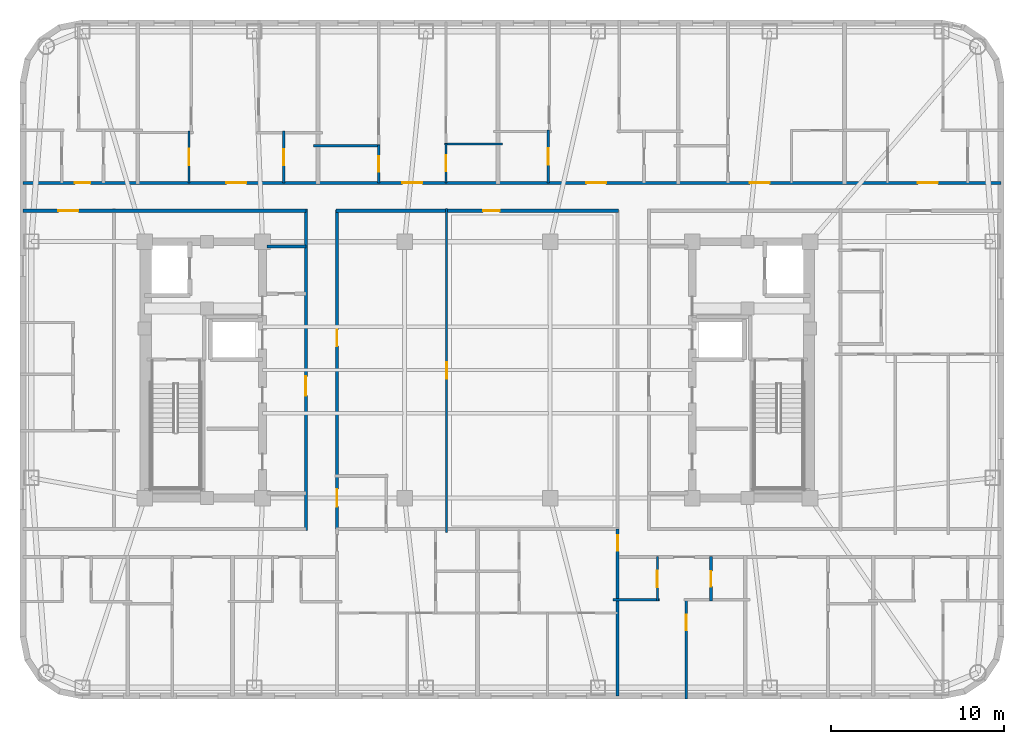
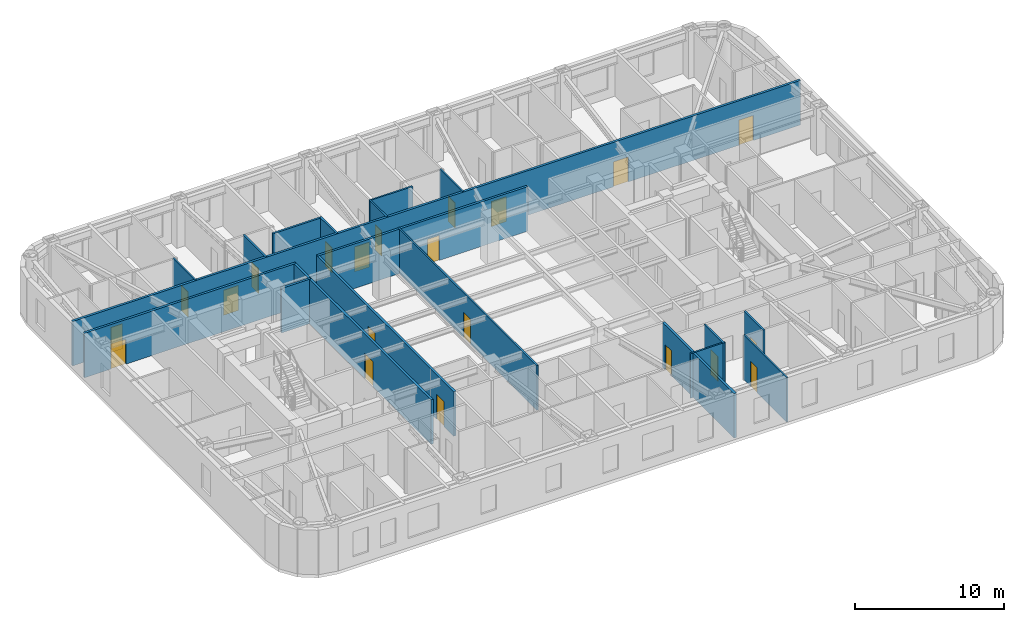
# One storey, part 5 of 11: 21 doors, 19 walls, 21 openings.
"""IFC4 building model written with IfcOpenShell, lengths in metres."""

from ifc_helpers import new_model, si_unit, direction, frame, frame_2d, origin, place, context, subcontext, project, spatial, rectangle, extrude, material, layer, layer_set, type_object, element, fill, save


model = new_model("IFC4")

# Units and contexts
model_context = context("Model", 3, precision=1e-05, world=origin(), true_north=direction((0.0, 1.0)))
body_context = subcontext(model_context, "Body", "Model", "MODEL_VIEW")
ifc_project = project(units=[si_unit("LENGTHUNIT", "METRE"), si_unit("AREAUNIT", "SQUARE_METRE"), si_unit("VOLUMEUNIT", "CUBIC_METRE"), si_unit("PLANEANGLEUNIT", "RADIAN"), si_unit("MASSUNIT", "GRAM", prefix="KILO")], contexts=[model_context])

# Site, building, storey
site_placement = place(None, origin())
site = spatial("IfcSite", under=ifc_project, at=site_placement, CompositionType="ELEMENT")
building_placement = place(site_placement, origin())
building = spatial("IfcBuilding", under=site, at=building_placement, Name="Voryun Gate Residences", CompositionType="ELEMENT")
storey_placement = place(building_placement, frame((0.0, 0.0, 219.699951171875)))
storey = spatial("IfcBuildingStorey", under=building, at=storey_placement, Name="L54", CompositionType="ELEMENT", Elevation=219.699951171875)

# Wall
ifc_material_1 = material(Name="Gypsum acoustic fireboard")
ifc_layer_1 = layer(ifc_material_1, 0.179931640625, Name="W_CORR_RATED_180")
ifc_layer_set_1 = layer_set([ifc_layer_1], Name="Gypsum acoustic fireboard")
wall_type_1 = type_object("IfcWallType", Name="W_CORR_RATED_180", PredefinedType="PARTITIONING", material=ifc_layer_set_1)
wall_1_placement = place(storey_placement, frame((-12.14990234375, 7.1201171875, 0.0), z_axis=(0.0, 0.0, 1.0), x_axis=(1.0, 0.0, 0.0)))
element("IfcWall", 1, at=wall_1_placement, inside=storey, type_object=wall_type_1, Name="Partition wall WP-L54-PLBN-W", PredefinedType="PARTITIONING", context=body_context, shape_type="SweptSolid", body=[
    extrude(rectangle(XDim=2.27001953125, YDim=0.179931640625, at=frame_2d((1.135009765625, 0.0))), origin(), (0.0, 0.0, 1.0), 3.650146484375),
])

# Wall, opening, door
wall_2_placement = place(storey_placement, frame((-9.89990234375, -9.280029296875, 0.0), z_axis=(0.0, 0.0, 1.0), x_axis=(0.0, 1.0, 0.0)))
wall_2 = element("IfcWall", 2, at=wall_2_placement, inside=storey, type_object=wall_type_1, Name="Partition wall WP-L54-PLBW-FULL", PredefinedType="PARTITIONING", context=body_context, shape_type="SweptSolid", body=[
    extrude(rectangle(XDim=18.56005859375, YDim=0.179931640625, at=frame_2d((9.280029296875, 0.0))), origin(), (0.0, 0.0, 1.0), 3.650146484375),
])
opening_1_placement = place(wall_2_placement, frame((7.802001953125, 0.0, 0.0)))
opening_1 = element("IfcOpeningElement", 3, at=opening_1_placement, cuts=wall_2, Name="Opening D-FD60-2", PredefinedType="OPENING", context=body_context, shape_type="SweptSolid", body=[
    extrude(rectangle(XDim=1.10009765625, YDim=2.050048828125, at=frame_2d((0.550048828125, 1.02490234375))), frame((0.0, 0.099853515625, 0.0), z_axis=(0.0, -1.0, 0.0), x_axis=(1.0, 0.0, 0.0)), (0.0, 0.0, 1.0), 0.199951171875),
])
ifc_material_2 = material(Name="Painted steel fire door", Category="steel")
door_type_1 = type_object("IfcDoorType", Name="DR_FD60_FFLOB_1100", OperationType="NOTDEFINED", PredefinedType="DOOR", material=ifc_material_2)
door_1_placement = place(opening_1_placement, origin())
door_1 = element("IfcDoor", 4, at=door_1_placement, inside=storey, type_object=door_type_1, Name="Door DR-L54-PLBW-COR", OperationType="SINGLE_SWING_LEFT", OverallHeight=2.050048828125, OverallWidth=1.10009765625, PredefinedType="DOOR", context=body_context, shape_type="SweptSolid", body=[
    extrude(rectangle(XDim=1.10009765625, YDim=2.050048828125, at=frame_2d((0.550048828125, 1.02490234375))), frame((0.0, 0.02490234375, 0.0), z_axis=(0.0, -1.0, 0.0), x_axis=(1.0, 0.0, 0.0)), (0.0, 0.0, 1.0), 0.050048828125),
])
fill(opening_1, door_1)

wall_3_placement = place(storey_placement, frame((-26.22998046875, 9.18994140625, 0.0), z_axis=(0.0, 0.0, 1.0), x_axis=(1.0, 0.0, 0.0)))
wall_3 = element("IfcWall", 5, at=wall_3_placement, inside=storey, type_object=wall_type_1, Name="Partition wall WP-L54-CWING-WN", PredefinedType="PARTITIONING", context=body_context, shape_type="SweptSolid", body=[
    extrude(rectangle(XDim=16.35009765625, YDim=0.179931640625, at=frame_2d((8.175048828125, 0.0))), origin(), (0.0, 0.0, 1.0), 3.650146484375),
])
opening_2_placement = place(wall_3_placement, frame((2.05078125, 0.0, 0.0)))
opening_2 = element("IfcOpeningElement", 6, at=opening_2_placement, cuts=wall_3, Name="Opening D-UNIT-1", PredefinedType="OPENING", context=body_context, shape_type="SweptSolid", body=[
    extrude(rectangle(XDim=1.14990234375, YDim=2.050048828125, at=frame_2d((0.574951171875, 1.02490234375))), frame((0.0, 0.099853515625, 0.0), z_axis=(0.0, -1.0, 0.0), x_axis=(1.0, 0.0, 0.0)), (0.0, 0.0, 1.0), 0.199951171875),
])
ifc_material_3 = material(Name="Armoured timber-clad fire door", Category="wood")
door_type_2 = type_object("IfcDoorType", Name="DR_UNIT_ENTRY_1150", OperationType="NOTDEFINED", PredefinedType="DOOR", material=ifc_material_3)
door_2_placement = place(opening_2_placement, origin())
door_2 = element("IfcDoor", 7, at=door_2_placement, inside=storey, type_object=door_type_2, Name="Door DR-L54-WE1N", OperationType="SINGLE_SWING_LEFT", OverallHeight=2.050048828125, OverallWidth=1.14990234375, PredefinedType="DOOR", context=body_context, shape_type="SweptSolid", body=[
    extrude(rectangle(XDim=1.14990234375, YDim=2.050048828125, at=frame_2d((0.574951171875, 1.02490234375))), frame((0.0, 0.02490234375, 0.0), z_axis=(0.0, -1.0, 0.0), x_axis=(1.0, 0.0, 0.0)), (0.0, 0.0, 1.0), 0.050048828125),
])
fill(opening_2, door_2)

wall_4_placement = place(storey_placement, frame((-8.14990234375, 9.18994140625, 0.0), z_axis=(0.0, 0.0, 1.0), x_axis=(1.0, 0.0, 0.0)))
wall_4 = element("IfcWall", 8, at=wall_4_placement, inside=storey, type_object=wall_type_1, Name="Partition wall WP-L54-Z3N", PredefinedType="PARTITIONING", context=body_context, shape_type="SweptSolid", body=[
    extrude(rectangle(XDim=16.2998046875, YDim=0.179931640625, at=frame_2d((8.14990234375, 0.0))), origin(), (0.0, 0.0, 1.0), 3.650146484375),
])
opening_3_placement = place(wall_4_placement, frame((8.489990234375, 0.0, 0.0)))
opening_3 = element("IfcOpeningElement", 9, at=opening_3_placement, cuts=wall_4, Name="Opening D-INT-1", PredefinedType="OPENING", context=body_context, shape_type="SweptSolid", body=[
    extrude(rectangle(XDim=0.949951171875, YDim=2.050048828125, at=frame_2d((0.47509765625, 1.02490234375))), frame((0.0, 0.099853515625, 0.0), z_axis=(0.0, -1.0, 0.0), x_axis=(1.0, 0.0, 0.0)), (0.0, 0.0, 1.0), 0.199951171875),
])
ifc_material_4 = material(Name="Architectural oak veneer")
door_type_3 = type_object("IfcDoorType", Name="DR_INT_ROOM_950", OperationType="NOTDEFINED", PredefinedType="DOOR", material=ifc_material_4)
door_3_placement = place(opening_3_placement, origin())
door_3 = element("IfcDoor", 10, at=door_3_placement, inside=storey, type_object=door_type_3, Name="Door DR-L54-CMIDZ3N", OperationType="SINGLE_SWING_LEFT", OverallHeight=2.050048828125, OverallWidth=0.949951171875, PredefinedType="DOOR", context=body_context, shape_type="SweptSolid", body=[
    extrude(rectangle(XDim=0.949951171875, YDim=2.050048828125, at=frame_2d((0.47509765625, 1.02490234375))), frame((0.0, 0.02490234375, 0.0), z_axis=(0.0, -1.0, 0.0), x_axis=(1.0, 0.0, 0.0)), (0.0, 0.0, 1.0), 0.050048828125),
])
fill(opening_3, door_3)

# Wall, openings, doors
wall_5_placement = place(storey_placement, frame((-8.10009765625, -9.22998046875, 0.0), z_axis=(0.0, 0.0, 1.0), x_axis=(0.0, 1.0, 0.0)))
wall_5 = element("IfcWall", 11, at=wall_5_placement, inside=storey, type_object=wall_type_1, Name="Partition wall WP-L54-Z3W", PredefinedType="PARTITIONING", context=body_context, shape_type="SweptSolid", body=[
    extrude(rectangle(XDim=18.4599609375, YDim=0.179931640625, at=frame_2d((9.22998046875, 0.0))), origin(), (0.0, 0.0, 1.0), 3.650146484375),
])
opening_4_placement = place(wall_5_placement, frame((1.345947265625, 0.0, 0.0)))
opening_4 = element("IfcOpeningElement", 12, at=opening_4_placement, cuts=wall_5, Name="Opening D-AWC-1", PredefinedType="OPENING", context=body_context, shape_type="SweptSolid", body=[
    extrude(rectangle(XDim=1.0, YDim=2.050048828125, at=frame_2d((0.5, 1.02490234375))), frame((0.0, 0.099853515625, 0.0), z_axis=(0.0, -1.0, 0.0), x_axis=(1.0, 0.0, 0.0)), (0.0, 0.0, 1.0), 0.199951171875),
])
opening_5_placement = place(wall_5_placement, frame((10.60107421875, 0.0, 0.0)))
opening_5 = element("IfcOpeningElement", 13, at=opening_5_placement, cuts=wall_5, Name="Opening D-INT-1", PredefinedType="OPENING", context=body_context, shape_type="SweptSolid", body=[
    extrude(rectangle(XDim=0.949951171875, YDim=2.050048828125, at=frame_2d((0.47509765625, 1.02490234375))), frame((0.0, 0.099853515625, 0.0), z_axis=(0.0, -1.0, 0.0), x_axis=(1.0, 0.0, 0.0)), (0.0, 0.0, 1.0), 0.199951171875),
])
ifc_material_5 = material(Name="Architectural oak veneer")
door_type_4 = type_object("IfcDoorType", Name="DR_ACC_WC_1000", OperationType="NOTDEFINED", PredefinedType="DOOR", material=ifc_material_5)
door_4_placement = place(opening_4_placement, origin())
door_4 = element("IfcDoor", 14, at=door_4_placement, inside=storey, type_object=door_type_4, Name="Door DR-L54-CMWC-D", OperationType="SINGLE_SWING_LEFT", OverallHeight=2.050048828125, OverallWidth=1.0, PredefinedType="DOOR", context=body_context, shape_type="SweptSolid", body=[
    extrude(rectangle(XDim=1.0, YDim=2.050048828125, at=frame_2d((0.5, 1.02490234375))), frame((0.0, 0.02490234375, 0.0), z_axis=(0.0, -1.0, 0.0), x_axis=(1.0, 0.0, 0.0)), (0.0, 0.0, 1.0), 0.050048828125),
])
fill(opening_4, door_4)
door_5_placement = place(opening_5_placement, origin())
door_5 = element("IfcDoor", 15, at=door_5_placement, inside=storey, type_object=door_type_3, Name="Door DR-L54-CMIDZ3W", OperationType="SINGLE_SWING_RIGHT", OverallHeight=2.050048828125, OverallWidth=0.949951171875, PredefinedType="DOOR", context=body_context, shape_type="SweptSolid", body=[
    extrude(rectangle(XDim=0.949951171875, YDim=2.050048828125, at=frame_2d((0.47509765625, 1.02490234375))), frame((0.0, 0.02490234375, 0.0), z_axis=(0.0, -1.0, 0.0), x_axis=(1.0, 0.0, 0.0)), (0.0, 0.0, 1.0), 0.050048828125),
])
fill(opening_5, door_5)

wall_6_placement = place(storey_placement, frame((-26.22998046875, 10.800048828125, 0.0), z_axis=(0.0, 0.0, 1.0), x_axis=(1.0, 0.0, 0.0)))
wall_6 = element("IfcWall", 16, at=wall_6_placement, inside=storey, type_object=wall_type_1, Name="Partition wall WP-L54-NCORR", PredefinedType="PARTITIONING", context=body_context, shape_type="SweptSolid", body=[
    extrude(rectangle(XDim=56.4599609375, YDim=0.179931640625, at=frame_2d((28.22998046875, 0.0))), origin(), (0.0, 0.0, 1.0), 3.650146484375),
])
opening_6_placement = place(wall_6_placement, frame((2.994140625, 0.0, 0.0)))
opening_6 = element("IfcOpeningElement", 17, at=opening_6_placement, cuts=wall_6, Name="Opening D-INT-2", PredefinedType="OPENING", context=body_context, shape_type="SweptSolid", body=[
    extrude(rectangle(XDim=0.89990234375, YDim=2.050048828125, at=frame_2d((0.449951171875, 1.02490234375))), frame((0.0, 0.099853515625, 0.0), z_axis=(0.0, -1.0, 0.0), x_axis=(1.0, 0.0, 0.0)), (0.0, 0.0, 1.0), 0.199951171875),
])
opening_7_placement = place(wall_6_placement, frame((11.74462890625, 0.0, 0.0)))
opening_7 = element("IfcOpeningElement", 18, at=opening_7_placement, cuts=wall_6, Name="Opening D-UNIT-1", PredefinedType="OPENING", context=body_context, shape_type="SweptSolid", body=[
    extrude(rectangle(XDim=1.14990234375, YDim=2.050048828125, at=frame_2d((0.574951171875, 1.02490234375))), frame((0.0, 0.099853515625, 0.0), z_axis=(0.0, -1.0, 0.0), x_axis=(1.0, 0.0, 0.0)), (0.0, 0.0, 1.0), 0.199951171875),
])
opening_8_placement = place(wall_6_placement, frame((21.907470703125, 0.0, 0.0)))
opening_8 = element("IfcOpeningElement", 19, at=opening_8_placement, cuts=wall_6, Name="Opening D-UNIT-1", PredefinedType="OPENING", context=body_context, shape_type="SweptSolid", body=[
    extrude(rectangle(XDim=1.14990234375, YDim=2.050048828125, at=frame_2d((0.574951171875, 1.02490234375))), frame((0.0, 0.099853515625, 0.0), z_axis=(0.0, -1.0, 0.0), x_axis=(1.0, 0.0, 0.0)), (0.0, 0.0, 1.0), 0.199951171875),
])
opening_9_placement = place(wall_6_placement, frame((32.51611328125, 0.0, 0.0)))
opening_9 = element("IfcOpeningElement", 20, at=opening_9_placement, cuts=wall_6, Name="Opening D-UNIT-1", PredefinedType="OPENING", context=body_context, shape_type="SweptSolid", body=[
    extrude(rectangle(XDim=1.14990234375, YDim=2.050048828125, at=frame_2d((0.574951171875, 1.02490234375))), frame((0.0, 0.099853515625, 0.0), z_axis=(0.0, -1.0, 0.0), x_axis=(1.0, 0.0, 0.0)), (0.0, 0.0, 1.0), 0.199951171875),
])
opening_10_placement = place(wall_6_placement, frame((41.956298828125, 0.0, 0.0)))
opening_10 = element("IfcOpeningElement", 21, at=opening_10_placement, cuts=wall_6, Name="Opening D-UNIT-1", PredefinedType="OPENING", context=body_context, shape_type="SweptSolid", body=[
    extrude(rectangle(XDim=1.14990234375, YDim=2.050048828125, at=frame_2d((0.574951171875, 1.02490234375))), frame((0.0, 0.099853515625, 0.0), z_axis=(0.0, -1.0, 0.0), x_axis=(1.0, 0.0, 0.0)), (0.0, 0.0, 1.0), 0.199951171875),
])
opening_11_placement = place(wall_6_placement, frame((51.656005859375, 0.0, 0.0)))
opening_11 = element("IfcOpeningElement", 22, at=opening_11_placement, cuts=wall_6, Name="Opening D-UNIT-1", PredefinedType="OPENING", context=body_context, shape_type="SweptSolid", body=[
    extrude(rectangle(XDim=1.14990234375, YDim=2.050048828125, at=frame_2d((0.574951171875, 1.02490234375))), frame((0.0, 0.099853515625, 0.0), z_axis=(0.0, -1.0, 0.0), x_axis=(1.0, 0.0, 0.0)), (0.0, 0.0, 1.0), 0.199951171875),
])
ifc_material_6 = material(Name="Architectural oak veneer")
door_type_5 = type_object("IfcDoorType", Name="DR_INT_BATH_900", OperationType="NOTDEFINED", PredefinedType="DOOR", material=ifc_material_6)
door_6_placement = place(opening_6_placement, origin())
door_6 = element("IfcDoor", 23, at=door_6_placement, inside=storey, type_object=door_type_5, Name="Door DR-L54-NENT-1", OperationType="SINGLE_SWING_LEFT", OverallHeight=2.050048828125, OverallWidth=0.89990234375, PredefinedType="DOOR", context=body_context, shape_type="SweptSolid", body=[
    extrude(rectangle(XDim=0.89990234375, YDim=2.050048828125, at=frame_2d((0.449951171875, 1.02490234375))), frame((0.0, 0.02490234375, 0.0), z_axis=(0.0, -1.0, 0.0), x_axis=(1.0, 0.0, 0.0)), (0.0, 0.0, 1.0), 0.050048828125),
])
fill(opening_6, door_6)
door_7_placement = place(opening_7_placement, origin())
door_7 = element("IfcDoor", 24, at=door_7_placement, inside=storey, type_object=door_type_2, Name="Door DR-L54-NENT-2", OperationType="SINGLE_SWING_RIGHT", OverallHeight=2.050048828125, OverallWidth=1.14990234375, PredefinedType="DOOR", context=body_context, shape_type="SweptSolid", body=[
    extrude(rectangle(XDim=1.14990234375, YDim=2.050048828125, at=frame_2d((0.574951171875, 1.02490234375))), frame((0.0, 0.02490234375, 0.0), z_axis=(0.0, -1.0, 0.0), x_axis=(1.0, 0.0, 0.0)), (0.0, 0.0, 1.0), 0.050048828125),
])
fill(opening_7, door_7)
door_8_placement = place(opening_8_placement, origin())
door_8 = element("IfcDoor", 25, at=door_8_placement, inside=storey, type_object=door_type_2, Name="Door DR-L54-NENT-3", OperationType="SINGLE_SWING_LEFT", OverallHeight=2.050048828125, OverallWidth=1.14990234375, PredefinedType="DOOR", context=body_context, shape_type="SweptSolid", body=[
    extrude(rectangle(XDim=1.14990234375, YDim=2.050048828125, at=frame_2d((0.574951171875, 1.02490234375))), frame((0.0, 0.02490234375, 0.0), z_axis=(0.0, -1.0, 0.0), x_axis=(1.0, 0.0, 0.0)), (0.0, 0.0, 1.0), 0.050048828125),
])
fill(opening_8, door_8)
door_9_placement = place(opening_9_placement, origin())
door_9 = element("IfcDoor", 26, at=door_9_placement, inside=storey, type_object=door_type_2, Name="Door DR-L54-NENT-4", OperationType="SINGLE_SWING_RIGHT", OverallHeight=2.050048828125, OverallWidth=1.14990234375, PredefinedType="DOOR", context=body_context, shape_type="SweptSolid", body=[
    extrude(rectangle(XDim=1.14990234375, YDim=2.050048828125, at=frame_2d((0.574951171875, 1.02490234375))), frame((0.0, 0.02490234375, 0.0), z_axis=(0.0, -1.0, 0.0), x_axis=(1.0, 0.0, 0.0)), (0.0, 0.0, 1.0), 0.050048828125),
])
fill(opening_9, door_9)
door_10_placement = place(opening_10_placement, origin())
door_10 = element("IfcDoor", 27, at=door_10_placement, inside=storey, type_object=door_type_2, Name="Door DR-L54-NENT-5", OperationType="SINGLE_SWING_LEFT", OverallHeight=2.050048828125, OverallWidth=1.14990234375, PredefinedType="DOOR", context=body_context, shape_type="SweptSolid", body=[
    extrude(rectangle(XDim=1.14990234375, YDim=2.050048828125, at=frame_2d((0.574951171875, 1.02490234375))), frame((0.0, 0.02490234375, 0.0), z_axis=(0.0, -1.0, 0.0), x_axis=(1.0, 0.0, 0.0)), (0.0, 0.0, 1.0), 0.050048828125),
])
fill(opening_10, door_10)
door_11_placement = place(opening_11_placement, origin())
door_11 = element("IfcDoor", 28, at=door_11_placement, inside=storey, type_object=door_type_2, Name="Door DR-L54-NENT-6", OperationType="SINGLE_SWING_RIGHT", OverallHeight=2.050048828125, OverallWidth=1.14990234375, PredefinedType="DOOR", context=body_context, shape_type="SweptSolid", body=[
    extrude(rectangle(XDim=1.14990234375, YDim=2.050048828125, at=frame_2d((0.574951171875, 1.02490234375))), frame((0.0, 0.02490234375, 0.0), z_axis=(0.0, -1.0, 0.0), x_axis=(1.0, 0.0, 0.0)), (0.0, 0.0, 1.0), 0.050048828125),
])
fill(opening_11, door_11)

# Wall, opening, door
wall_7_placement = place(storey_placement, frame((8.10009765625, -18.830078125, 0.0), z_axis=(0.0, 0.0, 1.0), x_axis=(0.0, 1.0, 0.0)))
wall_7 = element("IfcWall", 29, at=wall_7_placement, inside=storey, type_object=wall_type_1, Name="Partition wall WP-L54-SZV-2", PredefinedType="PARTITIONING", context=body_context, shape_type="SweptSolid", body=[
    extrude(rectangle(XDim=9.64013671875, YDim=0.179931640625, at=frame_2d((4.820068359375, 0.0))), origin(), (0.0, 0.0, 1.0), 3.650146484375),
])
opening_12_placement = place(wall_7_placement, frame((8.389892578125, 0.0, 0.0)))
opening_12 = element("IfcOpeningElement", 30, at=opening_12_placement, cuts=wall_7, Name="Opening D-INT-2", PredefinedType="OPENING", context=body_context, shape_type="SweptSolid", body=[
    extrude(rectangle(XDim=0.89990234375, YDim=2.050048828125, at=frame_2d((0.449951171875, 1.02490234375))), frame((0.0, 0.099853515625, 0.0), z_axis=(0.0, -1.0, 0.0), x_axis=(1.0, 0.0, 0.0)), (0.0, 0.0, 1.0), 0.199951171875),
])
door_12_placement = place(opening_12_placement, origin())
door_12 = element("IfcDoor", 31, at=door_12_placement, inside=storey, type_object=door_type_5, Name="Door DR-L54-SZENT-2", OperationType="SINGLE_SWING_RIGHT", OverallHeight=2.050048828125, OverallWidth=0.89990234375, PredefinedType="DOOR", context=body_context, shape_type="SweptSolid", body=[
    extrude(rectangle(XDim=0.89990234375, YDim=2.050048828125, at=frame_2d((0.449951171875, 1.02490234375))), frame((0.0, 0.02490234375, 0.0), z_axis=(0.0, -1.0, 0.0), x_axis=(1.0, 0.0, 0.0)), (0.0, 0.0, 1.0), 0.050048828125),
])
fill(opening_12, door_12)

ifc_material_7 = material(Name="Gypsum acoustic partition")
ifc_layer_2 = layer(ifc_material_7, 0.125, Name="W_UNIT_PART_125")
ifc_layer_set_2 = layer_set([ifc_layer_2], Name="Gypsum acoustic partition")
wall_type_2 = type_object("IfcWallType", Name="W_UNIT_PART_125", PredefinedType="PARTITIONING", material=ifc_layer_set_2)
wall_8_placement = place(storey_placement, frame((-1.77294921875, -9.3701171875, 0.0), z_axis=(0.0, 0.0, 1.0), x_axis=(0.0, 1.0, 0.0)))
wall_8 = element("IfcWall", 32, at=wall_8_placement, inside=storey, type_object=wall_type_2, Name="Partition wall WP-L54-MIDX-0", PredefinedType="PARTITIONING", context=body_context, shape_type="SweptSolid", body=[
    extrude(rectangle(XDim=18.690185546875, YDim=0.125, at=frame_2d((9.34521484375, 0.0))), origin(), (0.0, 0.0, 1.0), 3.650146484375),
])
opening_13_placement = place(wall_8_placement, frame((8.8701171875, 0.0, 0.0)))
opening_13 = element("IfcOpeningElement", 33, at=opening_13_placement, cuts=wall_8, Name="Opening D-INT-1", PredefinedType="OPENING", context=body_context, shape_type="SweptSolid", body=[
    extrude(rectangle(XDim=0.949951171875, YDim=2.050048828125, at=frame_2d((0.47509765625, 1.02490234375))), frame((0.0, 0.072509765625, 0.0), z_axis=(0.0, -1.0, 0.0), x_axis=(1.0, 0.0, 0.0)), (0.0, 0.0, 1.0), 0.14501953125),
])
door_13_placement = place(opening_13_placement, origin())
door_13 = element("IfcDoor", 34, at=door_13_placement, inside=storey, type_object=door_type_3, Name="Door DR-L54-MIDX-0", OperationType="SINGLE_SWING_LEFT", OverallHeight=2.050048828125, OverallWidth=0.949951171875, PredefinedType="DOOR", context=body_context, shape_type="SweptSolid", body=[
    extrude(rectangle(XDim=0.949951171875, YDim=2.050048828125, at=frame_2d((0.47509765625, 1.02490234375))), frame((0.0, 0.02490234375, 0.0), z_axis=(0.0, -1.0, 0.0), x_axis=(1.0, 0.0, 0.0)), (0.0, 0.0, 1.0), 0.050048828125),
])
fill(opening_13, door_13)

wall_9_placement = place(storey_placement, frame((-16.64111328125, 10.780029296875, 0.0), z_axis=(0.0, 0.0, 1.0), x_axis=(0.0, 1.0, 0.0)))
wall_9 = element("IfcWall", 35, at=wall_9_placement, inside=storey, type_object=wall_type_2, Name="Partition wall WP-L54-N2-IVK", PredefinedType="PARTITIONING", context=body_context, shape_type="SweptSolid", body=[
    extrude(rectangle(XDim=3.0, YDim=0.125, at=frame_2d((1.5, 0.0))), origin(), (0.0, 0.0, 1.0), 3.650146484375),
])
opening_14_placement = place(wall_9_placement, frame((1.02490234375, 0.0, 0.0)))
opening_14 = element("IfcOpeningElement", 36, at=opening_14_placement, cuts=wall_9, Name="Opening D-INT-1", PredefinedType="OPENING", context=body_context, shape_type="SweptSolid", body=[
    extrude(rectangle(XDim=0.949951171875, YDim=2.050048828125, at=frame_2d((0.47509765625, 1.02490234375))), frame((0.0, 0.072509765625, 0.0), z_axis=(0.0, -1.0, 0.0), x_axis=(1.0, 0.0, 0.0)), (0.0, 0.0, 1.0), 0.14501953125),
])
door_14_placement = place(opening_14_placement, origin())
door_14 = element("IfcDoor", 37, at=door_14_placement, inside=storey, type_object=door_type_3, Name="Door DR-L54-N2-DK", OperationType="SINGLE_SWING_LEFT", OverallHeight=2.050048828125, OverallWidth=0.949951171875, PredefinedType="DOOR", context=body_context, shape_type="SweptSolid", body=[
    extrude(rectangle(XDim=0.949951171875, YDim=2.050048828125, at=frame_2d((0.47509765625, 1.02490234375))), frame((0.0, 0.02490234375, 0.0), z_axis=(0.0, -1.0, 0.0), x_axis=(1.0, 0.0, 0.0)), (0.0, 0.0, 1.0), 0.050048828125),
])
fill(opening_14, door_14)

# Wall
wall_10_placement = place(storey_placement, frame((-1.889892578125, 13.0400390625, 0.0), z_axis=(0.0, 0.0, 1.0), x_axis=(1.0, 0.0, 0.0)))
element("IfcWall", 38, at=wall_10_placement, inside=storey, type_object=wall_type_2, Name="Partition wall WP-L54-N3-RHY", PredefinedType="PARTITIONING", context=body_context, shape_type="SweptSolid", body=[
    extrude(rectangle(XDim=3.349853515625, YDim=0.125, at=frame_2d((1.6748046875, 0.0))), origin(), (0.0, 0.0, 1.0), 3.650146484375),
])

# Wall, opening, door
wall_11_placement = place(storey_placement, frame((-1.81005859375, 10.780029296875, 0.0), z_axis=(0.0, 0.0, 1.0), x_axis=(0.0, 1.0, 0.0)))
wall_11 = element("IfcWall", 39, at=wall_11_placement, inside=storey, type_object=wall_type_2, Name="Partition wall WP-L54-N3-RVX1", PredefinedType="PARTITIONING", context=body_context, shape_type="SweptSolid", body=[
    extrude(rectangle(XDim=2.300048828125, YDim=0.125, at=frame_2d((1.14990234375, 0.0))), origin(), (0.0, 0.0, 1.0), 3.650146484375),
])
opening_15_placement = place(wall_11_placement, frame((0.699951171875, 0.0, 0.0)))
opening_15 = element("IfcOpeningElement", 40, at=opening_15_placement, cuts=wall_11, Name="Opening D-INT-2", PredefinedType="OPENING", context=body_context, shape_type="SweptSolid", body=[
    extrude(rectangle(XDim=0.89990234375, YDim=2.050048828125, at=frame_2d((0.449951171875, 1.02490234375))), frame((0.0, 0.072509765625, 0.0), z_axis=(0.0, -1.0, 0.0), x_axis=(1.0, 0.0, 0.0)), (0.0, 0.0, 1.0), 0.14501953125),
])
door_15_placement = place(opening_15_placement, origin())
door_15 = element("IfcDoor", 41, at=door_15_placement, inside=storey, type_object=door_type_5, Name="Door DR-L54-N3-DK", OperationType="SINGLE_SWING_RIGHT", OverallHeight=2.050048828125, OverallWidth=0.89990234375, PredefinedType="DOOR", context=body_context, shape_type="SweptSolid", body=[
    extrude(rectangle(XDim=0.89990234375, YDim=2.050048828125, at=frame_2d((0.449951171875, 1.02490234375))), frame((0.0, 0.02490234375, 0.0), z_axis=(0.0, -1.0, 0.0), x_axis=(1.0, 0.0, 0.0)), (0.0, 0.0, 1.0), 0.050048828125),
])
fill(opening_15, door_15)

wall_12_placement = place(storey_placement, frame((4.096923828125, 10.780029296875, 0.0), z_axis=(0.0, 0.0, 1.0), x_axis=(0.0, 1.0, 0.0)))
wall_12 = element("IfcWall", 42, at=wall_12_placement, inside=storey, type_object=wall_type_2, Name="Partition wall WP-L54-N4-IVK", PredefinedType="PARTITIONING", context=body_context, shape_type="SweptSolid", body=[
    extrude(rectangle(XDim=3.069091796875, YDim=0.125, at=frame_2d((1.53466796875, 0.0))), origin(), (0.0, 0.0, 1.0), 3.650146484375),
])
opening_16_placement = place(wall_12_placement, frame((1.0595703125, 0.0, 0.0)))
opening_16 = element("IfcOpeningElement", 43, at=opening_16_placement, cuts=wall_12, Name="Opening D-INT-1", PredefinedType="OPENING", context=body_context, shape_type="SweptSolid", body=[
    extrude(rectangle(XDim=0.949951171875, YDim=2.050048828125, at=frame_2d((0.47509765625, 1.02490234375))), frame((0.0, 0.072509765625, 0.0), z_axis=(0.0, -1.0, 0.0), x_axis=(1.0, 0.0, 0.0)), (0.0, 0.0, 1.0), 0.14501953125),
])
door_16_placement = place(opening_16_placement, origin())
door_16 = element("IfcDoor", 44, at=door_16_placement, inside=storey, type_object=door_type_3, Name="Door DR-L54-N4-DK", OperationType="SINGLE_SWING_LEFT", OverallHeight=2.050048828125, OverallWidth=0.949951171875, PredefinedType="DOOR", context=body_context, shape_type="SweptSolid", body=[
    extrude(rectangle(XDim=0.949951171875, YDim=2.050048828125, at=frame_2d((0.47509765625, 1.02490234375))), frame((0.0, 0.02490234375, 0.0), z_axis=(0.0, -1.0, 0.0), x_axis=(1.0, 0.0, 0.0)), (0.0, 0.0, 1.0), 0.050048828125),
])
fill(opening_16, door_16)

wall_13_placement = place(storey_placement, frame((12.055908203125, -18.97998046875, 0.0), z_axis=(0.0, 0.0, 1.0), x_axis=(0.0, 1.0, 0.0)))
wall_13 = element("IfcWall", 45, at=wall_13_placement, inside=storey, type_object=wall_type_2, Name="Partition wall WP-L54-S5-OVR", PredefinedType="PARTITIONING", context=body_context, shape_type="SweptSolid", body=[
    extrude(rectangle(XDim=5.794921875, YDim=0.125, at=frame_2d((2.8974609375, 0.0))), origin(), (0.0, 0.0, 1.0), 3.650146484375),
])
opening_17_placement = place(wall_13_placement, frame((3.9541015625, 0.0, 0.0)))
opening_17 = element("IfcOpeningElement", 46, at=opening_17_placement, cuts=wall_13, Name="Opening D-INT-2", PredefinedType="OPENING", context=body_context, shape_type="SweptSolid", body=[
    extrude(rectangle(XDim=0.89990234375, YDim=2.050048828125, at=frame_2d((0.449951171875, 1.02490234375))), frame((0.0, 0.072509765625, 0.0), z_axis=(0.0, -1.0, 0.0), x_axis=(1.0, 0.0, 0.0)), (0.0, 0.0, 1.0), 0.14501953125),
])
door_17_placement = place(opening_17_placement, origin())
door_17 = element("IfcDoor", 47, at=door_17_placement, inside=storey, type_object=door_type_5, Name="Door DR-L54-S5-DMB", OperationType="SINGLE_SWING_RIGHT", OverallHeight=2.050048828125, OverallWidth=0.89990234375, PredefinedType="DOOR", context=body_context, shape_type="SweptSolid", body=[
    extrude(rectangle(XDim=0.89990234375, YDim=2.050048828125, at=frame_2d((0.449951171875, 1.02490234375))), frame((0.0, 0.02490234375, 0.0), z_axis=(0.0, -1.0, 0.0), x_axis=(1.0, 0.0, 0.0)), (0.0, 0.0, 1.0), 0.050048828125),
])
fill(opening_17, door_17)

wall_14_placement = place(storey_placement, frame((10.389892578125, -13.344970703125, 0.0), z_axis=(0.0, 0.0, 1.0), x_axis=(0.0, 1.0, 0.0)))
wall_14 = element("IfcWall", 48, at=wall_14_placement, inside=storey, type_object=wall_type_2, Name="Partition wall WP-L54-S5-IVK", PredefinedType="PARTITIONING", context=body_context, shape_type="SweptSolid", body=[
    extrude(rectangle(XDim=2.56494140625, YDim=0.125, at=frame_2d((1.282470703125, 0.0))), origin(), (0.0, 0.0, 1.0), 3.650146484375),
])
opening_18_placement = place(wall_14_placement, frame((0.8076171875, 0.0, 0.0)))
opening_18 = element("IfcOpeningElement", 49, at=opening_18_placement, cuts=wall_14, Name="Opening D-INT-1", PredefinedType="OPENING", context=body_context, shape_type="SweptSolid", body=[
    extrude(rectangle(XDim=0.949951171875, YDim=2.050048828125, at=frame_2d((0.47509765625, 1.02490234375))), frame((0.0, 0.072509765625, 0.0), z_axis=(0.0, -1.0, 0.0), x_axis=(1.0, 0.0, 0.0)), (0.0, 0.0, 1.0), 0.14501953125),
])
door_18_placement = place(opening_18_placement, origin())
door_18 = element("IfcDoor", 50, at=door_18_placement, inside=storey, type_object=door_type_3, Name="Door DR-L54-S5-DK", OperationType="SINGLE_SWING_LEFT", OverallHeight=2.050048828125, OverallWidth=0.949951171875, PredefinedType="DOOR", context=body_context, shape_type="SweptSolid", body=[
    extrude(rectangle(XDim=0.949951171875, YDim=2.050048828125, at=frame_2d((0.47509765625, 1.02490234375))), frame((0.0, 0.02490234375, 0.0), z_axis=(0.0, -1.0, 0.0), x_axis=(1.0, 0.0, 0.0)), (0.0, 0.0, 1.0), 0.050048828125),
])
fill(opening_18, door_18)

# Wall
wall_15_placement = place(storey_placement, frame((7.820068359375, -13.264892578125, 0.0), z_axis=(0.0, 0.0, 1.0), x_axis=(1.0, 0.0, 0.0)))
element("IfcWall", 51, at=wall_15_placement, inside=storey, type_object=wall_type_2, Name="Partition wall WP-L54-S5-HZK", PredefinedType="PARTITIONING", context=body_context, shape_type="SweptSolid", body=[
    extrude(rectangle(XDim=2.68994140625, YDim=0.125, at=frame_2d((1.344970703125, 0.0))), origin(), (0.0, 0.0, 1.0), 3.650146484375),
])

# Wall, opening, door
ifc_material_8 = material(Name="Gypsum moisture-resistant partition")
ifc_layer_3 = layer(ifc_material_8, 0.14990234375, Name="W_WET_PLUMB_150")
ifc_layer_set_3 = layer_set([ifc_layer_3], Name="Gypsum moisture-resistant partition")
wall_type_3 = type_object("IfcWallType", Name="W_WET_PLUMB_150", PredefinedType="PLUMBINGWALL", material=ifc_layer_set_3)
wall_16_placement = place(storey_placement, frame((-11.179931640625, 10.780029296875, 0.0), z_axis=(0.0, 0.0, 1.0), x_axis=(0.0, 1.0, 0.0)))
wall_16 = element("IfcWall", 52, at=wall_16_placement, inside=storey, type_object=wall_type_3, Name="Partition wall WP-L54-N2-IVB", PredefinedType="PLUMBINGWALL", context=body_context, shape_type="SweptSolid", body=[
    extrude(rectangle(XDim=3.0, YDim=0.14990234375, at=frame_2d((1.5, 0.0))), origin(), (0.0, 0.0, 1.0), 3.650146484375),
])
opening_19_placement = place(wall_16_placement, frame((1.050048828125, 0.0, 0.0)))
opening_19 = element("IfcOpeningElement", 53, at=opening_19_placement, cuts=wall_16, Name="Opening D-INT-2", PredefinedType="OPENING", context=body_context, shape_type="SweptSolid", body=[
    extrude(rectangle(XDim=0.89990234375, YDim=2.050048828125, at=frame_2d((0.449951171875, 1.02490234375))), frame((0.0, 0.0849609375, 0.0), z_axis=(0.0, -1.0, 0.0), x_axis=(1.0, 0.0, 0.0)), (0.0, 0.0, 1.0), 0.169921875),
])
door_19_placement = place(opening_19_placement, origin())
door_19 = element("IfcDoor", 54, at=door_19_placement, inside=storey, type_object=door_type_5, Name="Door DR-L54-N2-DB", OperationType="SINGLE_SWING_RIGHT", OverallHeight=2.050048828125, OverallWidth=0.89990234375, PredefinedType="DOOR", context=body_context, shape_type="SweptSolid", body=[
    extrude(rectangle(XDim=0.89990234375, YDim=2.050048828125, at=frame_2d((0.449951171875, 1.02490234375))), frame((0.0, 0.02490234375, 0.0), z_axis=(0.0, -1.0, 0.0), x_axis=(1.0, 0.0, 0.0)), (0.0, 0.0, 1.0), 0.050048828125),
])
fill(opening_19, door_19)

# Wall
wall_17_placement = place(storey_placement, frame((-9.4599609375, 12.93994140625, 0.0), z_axis=(0.0, 0.0, 1.0), x_axis=(1.0, 0.0, 0.0)))
element("IfcWall", 55, at=wall_17_placement, inside=storey, type_object=wall_type_3, Name="Partition wall WP-L54-N3-LHY", PredefinedType="PLUMBINGWALL", context=body_context, shape_type="SweptSolid", body=[
    extrude(rectangle(XDim=3.849853515625, YDim=0.14990234375, at=frame_2d((1.9248046875, 0.0))), origin(), (0.0, 0.0, 1.0), 3.650146484375),
])

# Wall, opening, door
wall_18_placement = place(storey_placement, frame((-5.68994140625, 10.780029296875, 0.0), z_axis=(0.0, 0.0, 1.0), x_axis=(0.0, 1.0, 0.0)))
wall_18 = element("IfcWall", 56, at=wall_18_placement, inside=storey, type_object=wall_type_3, Name="Partition wall WP-L54-N3-LVX1", PredefinedType="PLUMBINGWALL", context=body_context, shape_type="SweptSolid", body=[
    extrude(rectangle(XDim=2.199951171875, YDim=0.14990234375, at=frame_2d((1.10009765625, 0.0))), origin(), (0.0, 0.0, 1.0), 3.650146484375),
])
opening_20_placement = place(wall_18_placement, frame((0.64990234375, 0.0, 0.0)))
opening_20 = element("IfcOpeningElement", 57, at=opening_20_placement, cuts=wall_18, Name="Opening D-INT-2", PredefinedType="OPENING", context=body_context, shape_type="SweptSolid", body=[
    extrude(rectangle(XDim=0.89990234375, YDim=2.050048828125, at=frame_2d((0.449951171875, 1.02490234375))), frame((0.0, 0.0849609375, 0.0), z_axis=(0.0, -1.0, 0.0), x_axis=(1.0, 0.0, 0.0)), (0.0, 0.0, 1.0), 0.169921875),
])
door_20_placement = place(opening_20_placement, origin())
door_20 = element("IfcDoor", 58, at=door_20_placement, inside=storey, type_object=door_type_5, Name="Door DR-L54-N3-DB", OperationType="SINGLE_SWING_LEFT", OverallHeight=2.050048828125, OverallWidth=0.89990234375, PredefinedType="DOOR", context=body_context, shape_type="SweptSolid", body=[
    extrude(rectangle(XDim=0.89990234375, YDim=2.050048828125, at=frame_2d((0.449951171875, 1.02490234375))), frame((0.0, 0.02490234375, 0.0), z_axis=(0.0, -1.0, 0.0), x_axis=(1.0, 0.0, 0.0)), (0.0, 0.0, 1.0), 0.050048828125),
])
fill(opening_20, door_20)

wall_19_placement = place(storey_placement, frame((13.486083984375, -13.344970703125, 0.0), z_axis=(0.0, 0.0, 1.0), x_axis=(0.0, 1.0, 0.0)))
wall_19 = element("IfcWall", 59, at=wall_19_placement, inside=storey, type_object=wall_type_3, Name="Partition wall WP-L54-S5-IVB", PredefinedType="PLUMBINGWALL", context=body_context, shape_type="SweptSolid", body=[
    extrude(rectangle(XDim=2.56494140625, YDim=0.14990234375, at=frame_2d((1.282470703125, 0.0))), origin(), (0.0, 0.0, 1.0), 3.650146484375),
])
opening_21_placement = place(wall_19_placement, frame((0.83251953125, 0.0, 0.0)))
opening_21 = element("IfcOpeningElement", 60, at=opening_21_placement, cuts=wall_19, Name="Opening D-INT-2", PredefinedType="OPENING", context=body_context, shape_type="SweptSolid", body=[
    extrude(rectangle(XDim=0.89990234375, YDim=2.050048828125, at=frame_2d((0.449951171875, 1.02490234375))), frame((0.0, 0.0849609375, 0.0), z_axis=(0.0, -1.0, 0.0), x_axis=(1.0, 0.0, 0.0)), (0.0, 0.0, 1.0), 0.169921875),
])
door_21_placement = place(opening_21_placement, origin())
door_21 = element("IfcDoor", 61, at=door_21_placement, inside=storey, type_object=door_type_5, Name="Door DR-L54-S5-DB", OperationType="SINGLE_SWING_RIGHT", OverallHeight=2.050048828125, OverallWidth=0.89990234375, PredefinedType="DOOR", context=body_context, shape_type="SweptSolid", body=[
    extrude(rectangle(XDim=0.89990234375, YDim=2.050048828125, at=frame_2d((0.449951171875, 1.02490234375))), frame((0.0, 0.02490234375, 0.0), z_axis=(0.0, -1.0, 0.0), x_axis=(1.0, 0.0, 0.0)), (0.0, 0.0, 1.0), 0.050048828125),
])
fill(opening_21, door_21)

save(model, "model.ifc")
